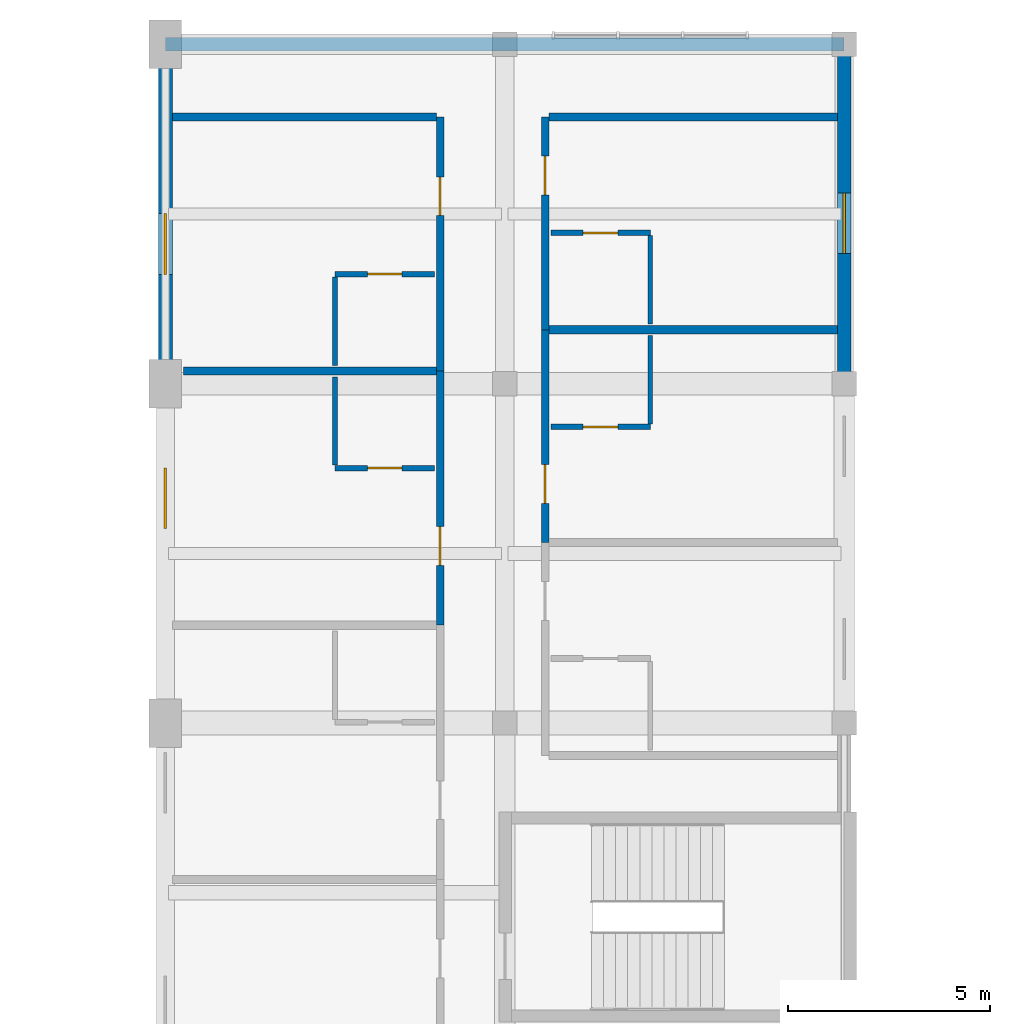
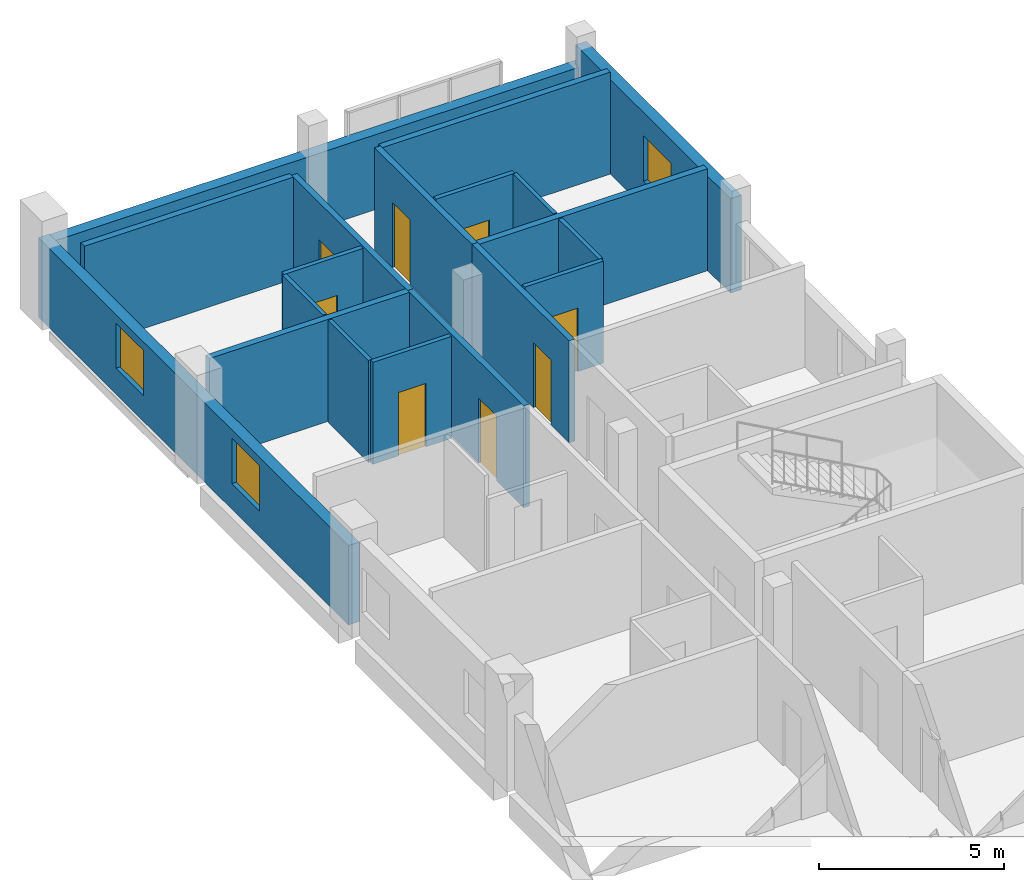
# One storey, part 20 of 24: 19 walls, 8 doors, 3 windows, 11 openings.
"""IFC4 building model written with IfcOpenShell, lengths in metres."""

from ifc_helpers import new_model, si_unit, derived_unit, direction, frame, frame_2d, origin, place, context, subcontext, project, spatial, rectangle, extrude, material, layer, layer_set, type_object, element, fill, save


model = new_model("IFC4")

# Units and contexts
model_context = context("Model", 3, precision=1e-05, world=origin(), true_north=direction((0.0, 1.0)))
body_context = subcontext(model_context, "Body", "Model", "MODEL_VIEW")
ifc_project = project(units=[si_unit("LENGTHUNIT", "METRE"), si_unit("AREAUNIT", "SQUARE_METRE"), si_unit("VOLUMEUNIT", "CUBIC_METRE"), si_unit("PLANEANGLEUNIT", "RADIAN"), si_unit("MASSUNIT", "GRAM", prefix="KILO"), derived_unit("THERMALTRANSMITTANCEUNIT", [(si_unit("POWERUNIT", "WATT"), 1), (si_unit("LENGTHUNIT", "METRE"), -2), (si_unit("THERMODYNAMICTEMPERATUREUNIT", "KELVIN"), -1)])], contexts=[model_context])

# Site, building, storey
site_placement = place(None, origin())
site = spatial("IfcSite", under=ifc_project, at=site_placement, CompositionType="ELEMENT")
building_placement = place(site_placement, origin())
building = spatial("IfcBuilding", under=site, at=building_placement, Name="Barrovel Congress Hotel", CompositionType="ELEMENT")
storey_placement = place(building_placement, frame((0.0, 0.0, 29.10009765625)))
storey = spatial("IfcBuildingStorey", under=building, at=storey_placement, Name="L07", CompositionType="ELEMENT", Elevation=29.10009765625)

# Wall
ifc_material_1 = material(Name="Fired Clay Brick Masonry", Category="masonry")
ifc_layer_1 = layer(ifc_material_1, 0.340087890625)
ifc_layer_set_1 = layer_set([ifc_layer_1], Name="Fired Clay Brick Masonry")
wall_type_1 = type_object("IfcWallType", Name="EW-BRK340", PredefinedType="STANDARD", material=ifc_layer_set_1)
wall_1_placement = place(storey_placement, frame((50.39990234375, 79.800048828125, 0.0), z_axis=(0.0, 0.0, 1.0), x_axis=(-1.0, 0.0, 0.0)))
element("IfcWall", 1, at=wall_1_placement, inside=storey, type_object=wall_type_1, Name="EW:L07:HW-N", PredefinedType="STANDARD", context=body_context, shape_type="SweptSolid", body=[
    extrude(rectangle(XDim=16.7998046875, YDim=0.340087890625, at=frame_2d((8.39990234375, 0.0))), origin(), (0.0, 0.0, 1.0), 2.47998046875),
])

# Wall, opening, window
wall_2_placement = place(storey_placement, frame((50.39990234375, 71.39990234375, 0.0), z_axis=(0.0, 0.0, 1.0), x_axis=(0.0, 1.0, 0.0)))
wall_2 = element("IfcWall", 2, at=wall_2_placement, inside=storey, type_object=wall_type_1, Name="EW:L07:HW-E-2:P02", PredefinedType="STANDARD", context=body_context, shape_type="SweptSolid", body=[
    extrude(rectangle(XDim=8.400146484375, YDim=0.340087890625, at=frame_2d((4.2001953125, 0.0))), origin(), (0.0, 0.0, 1.0), 3.1259765625),
])
opening_1_placement = place(wall_2_placement, frame((3.216552734375, 0.0, 0.85009765625)))
opening_1 = element("IfcOpeningElement", 3, at=opening_1_placement, cuts=wall_2, Name="Opening WN-07", PredefinedType="OPENING", context=body_context, shape_type="SweptSolid", body=[
    extrude(rectangle(XDim=1.5, YDim=1.5, at=frame_2d((0.75, 0.75))), frame((0.0, 0.18017578125, 0.0), z_axis=(0.0, -1.0, 0.0), x_axis=(1.0, 0.0, 0.0)), (0.0, 0.0, 1.0), 0.360107421875),
])
ifc_material_2 = material(Name="Double Low-E Insulated Glazing", Category="glass")
window_type = type_object("IfcWindowType", Name="WIN-WN-07", PartitioningType="SINGLE_PANEL", PredefinedType="WINDOW", material=ifc_material_2)
window_1_placement = place(opening_1_placement, origin())
window_1 = element("IfcWindow", 4, at=window_1_placement, inside=storey, type_object=window_type, Name="WIN:L07:U44", OverallHeight=1.5, OverallWidth=1.5, PartitioningType="SINGLE_PANEL", PredefinedType="WINDOW", context=body_context, shape_type="SweptSolid", body=[
    extrude(rectangle(XDim=1.5, YDim=1.5, at=frame_2d((0.75, 0.75))), frame((0.0, 0.030029296875, 0.0), z_axis=(0.0, -1.0, 0.0), x_axis=(1.0, 0.0, 0.0)), (0.0, 0.0, 1.0), 0.06005859375),
])
fill(opening_1, window_1)

# Wall, openings, windows
wall_3_placement = place(storey_placement, frame((33.60009765625, 79.800048828125, 0.0), z_axis=(0.0, 0.0, 1.0), x_axis=(0.0, -1.0, 0.0)))
wall_3 = element("IfcWall", 5, at=wall_3_placement, inside=storey, type_object=wall_type_1, Name="EW:L07:HW-W:P01", PredefinedType="STANDARD", context=body_context, shape_type="SweptSolid", body=[
    extrude(rectangle(XDim=16.800048828125, YDim=0.340087890625, at=frame_2d((8.39990234375, 0.0))), origin(), (0.0, 0.0, 1.0), 2.6298828125),
])
opening_2_placement = place(wall_3_placement, frame((10.4833984375, 0.0, 0.85009765625)))
opening_2 = element("IfcOpeningElement", 6, at=opening_2_placement, cuts=wall_3, Name="Opening WN-07", PredefinedType="OPENING", context=body_context, shape_type="SweptSolid", body=[
    extrude(rectangle(XDim=1.5, YDim=1.5, at=frame_2d((0.75, 0.75))), frame((0.0, 0.18017578125, 0.0), z_axis=(0.0, -1.0, 0.0), x_axis=(1.0, 0.0, 0.0)), (0.0, 0.0, 1.0), 0.360107421875),
])
opening_3_placement = place(wall_3_placement, frame((4.194580078125, 0.0, 0.85009765625)))
opening_3 = element("IfcOpeningElement", 7, at=opening_3_placement, cuts=wall_3, Name="Opening WN-07", PredefinedType="OPENING", context=body_context, shape_type="SweptSolid", body=[
    extrude(rectangle(XDim=1.5, YDim=1.5, at=frame_2d((0.75, 0.75))), frame((0.0, 0.18017578125, 0.0), z_axis=(0.0, -1.0, 0.0), x_axis=(1.0, 0.0, 0.0)), (0.0, 0.0, 1.0), 0.360107421875),
])
window_2_placement = place(opening_2_placement, origin())
window_2 = element("IfcWindow", 8, at=window_2_placement, inside=storey, type_object=window_type, Name="WIN:L07:U35", OverallHeight=1.5, OverallWidth=1.5, PartitioningType="SINGLE_PANEL", PredefinedType="WINDOW", context=body_context, shape_type="SweptSolid", body=[
    extrude(rectangle(XDim=1.5, YDim=1.5, at=frame_2d((0.75, 0.75))), frame((0.0, 0.030029296875, 0.0), z_axis=(0.0, -1.0, 0.0), x_axis=(1.0, 0.0, 0.0)), (0.0, 0.0, 1.0), 0.06005859375),
])
fill(opening_2, window_2)
window_3_placement = place(opening_3_placement, origin())
window_3 = element("IfcWindow", 9, at=window_3_placement, inside=storey, type_object=window_type, Name="WIN:L07:U36", OverallHeight=1.5, OverallWidth=1.5, PartitioningType="SINGLE_PANEL", PredefinedType="WINDOW", context=body_context, shape_type="SweptSolid", body=[
    extrude(rectangle(XDim=1.5, YDim=1.5, at=frame_2d((0.75, 0.75))), frame((0.0, 0.030029296875, 0.0), z_axis=(0.0, -1.0, 0.0), x_axis=(1.0, 0.0, 0.0)), (0.0, 0.0, 1.0), 0.06005859375),
])
fill(opening_3, window_3)

# Wall, opening, door
ifc_material_3 = material(Name="Gypsum Acoustic Stud", Category="gypsum")
ifc_layer_2 = layer(ifc_material_3, 0.179931640625)
ifc_layer_set_2 = layer_set([ifc_layer_2], Name="Gypsum Acoustic Stud")
wall_type_2 = type_object("IfcWallType", Name="PW-ACU-180", PredefinedType="PARTITIONING", material=ifc_layer_set_2)
wall_4_placement = place(storey_placement, frame((40.39990234375, 65.422119140625, 0.0), z_axis=(0.0, 0.0, 1.0), x_axis=(0.0, 1.0, 0.0)))
wall_4 = element("IfcWall", 10, at=wall_4_placement, inside=storey, type_object=wall_type_2, Name="PW:L07:U35:COR", PredefinedType="PARTITIONING", context=body_context, shape_type="SweptSolid", body=[
    extrude(rectangle(XDim=6.2890625, YDim=0.179931640625, at=frame_2d((3.14453125, 0.0))), origin(), (0.0, 0.0, 1.0), 3.375),
])
opening_4_placement = place(wall_4_placement, frame((1.4794921875, 0.0, 0.0)))
opening_4 = element("IfcOpeningElement", 11, at=opening_4_placement, cuts=wall_4, Name="Opening ID-HTL", PredefinedType="OPENING", context=body_context, shape_type="SweptSolid", body=[
    extrude(rectangle(XDim=0.9599609375, YDim=2.14990234375, at=frame_2d((0.47998046875, 1.074951171875))), frame((0.0, 0.10009765625, 0.0), z_axis=(0.0, -1.0, 0.0), x_axis=(1.0, 0.0, 0.0)), (0.0, 0.0, 1.0), 0.199951171875),
])
ifc_material_4 = material(Name="Solid Oak Acoustic Timber Door", Category="wood")
door_type_1 = type_object("IfcDoorType", Name="IDR-ID-HTL", OperationType="NOTDEFINED", PredefinedType="DOOR", material=ifc_material_4)
door_1_placement = place(opening_4_placement, origin())
door_1 = element("IfcDoor", 12, at=door_1_placement, inside=storey, type_object=door_type_1, Name="DR:L07:U35:ENT", OperationType="SINGLE_SWING_RIGHT", OverallHeight=2.14990234375, OverallWidth=0.9599609375, PredefinedType="DOOR", context=body_context, shape_type="SweptSolid", body=[
    extrude(rectangle(XDim=0.9599609375, YDim=2.14990234375, at=frame_2d((0.47998046875, 1.074951171875))), frame((0.0, 0.02490234375, 0.0), z_axis=(0.0, -1.0, 0.0), x_axis=(1.0, 0.0, 0.0)), (0.0, 0.0, 1.0), 0.050048828125),
])
fill(opening_4, door_1)

wall_5_placement = place(storey_placement, frame((40.39990234375, 71.711181640625, 0.0), z_axis=(0.0, 0.0, 1.0), x_axis=(0.0, 1.0, 0.0)))
wall_5 = element("IfcWall", 13, at=wall_5_placement, inside=storey, type_object=wall_type_2, Name="PW:L07:U36:COR", PredefinedType="PARTITIONING", context=body_context, shape_type="SweptSolid", body=[
    extrude(rectangle(XDim=6.288818359375, YDim=0.179931640625, at=frame_2d((3.14453125, 0.0))), origin(), (0.0, 0.0, 1.0), 3.375),
])
opening_5_placement = place(wall_5_placement, frame((3.849365234375, 0.0, 0.0)))
opening_5 = element("IfcOpeningElement", 14, at=opening_5_placement, cuts=wall_5, Name="Opening ID-HTL", PredefinedType="OPENING", context=body_context, shape_type="SweptSolid", body=[
    extrude(rectangle(XDim=0.9599609375, YDim=2.14990234375, at=frame_2d((0.47998046875, 1.074951171875))), frame((0.0, 0.10009765625, 0.0), z_axis=(0.0, -1.0, 0.0), x_axis=(1.0, 0.0, 0.0)), (0.0, 0.0, 1.0), 0.199951171875),
])
door_2_placement = place(opening_5_placement, origin())
door_2 = element("IfcDoor", 15, at=door_2_placement, inside=storey, type_object=door_type_1, Name="DR:L07:U36:ENT", OperationType="SINGLE_SWING_RIGHT", OverallHeight=2.14990234375, OverallWidth=0.9599609375, PredefinedType="DOOR", context=body_context, shape_type="SweptSolid", body=[
    extrude(rectangle(XDim=0.9599609375, YDim=2.14990234375, at=frame_2d((0.47998046875, 1.074951171875))), frame((0.0, 0.02490234375, 0.0), z_axis=(0.0, -1.0, 0.0), x_axis=(1.0, 0.0, 0.0)), (0.0, 0.0, 1.0), 0.050048828125),
])
fill(opening_5, door_2)

wall_6_placement = place(storey_placement, frame((43.0, 67.466796875, 0.0), z_axis=(0.0, 0.0, 1.0), x_axis=(0.0, 1.0, 0.0)))
wall_6 = element("IfcWall", 16, at=wall_6_placement, inside=storey, type_object=wall_type_2, Name="PW:L07:U43:COR", PredefinedType="PARTITIONING", context=body_context, shape_type="SweptSolid", body=[
    extrude(rectangle(XDim=5.2666015625, YDim=0.179931640625, at=frame_2d((2.63330078125, 0.0))), origin(), (0.0, 0.0, 1.0), 3.375),
])
opening_6_placement = place(wall_6_placement, frame((0.96826171875, 0.0, 0.0)))
opening_6 = element("IfcOpeningElement", 17, at=opening_6_placement, cuts=wall_6, Name="Opening ID-HTL", PredefinedType="OPENING", context=body_context, shape_type="SweptSolid", body=[
    extrude(rectangle(XDim=0.9599609375, YDim=2.14990234375, at=frame_2d((0.47998046875, 1.074951171875))), frame((0.0, 0.10009765625, 0.0), z_axis=(0.0, -1.0, 0.0), x_axis=(1.0, 0.0, 0.0)), (0.0, 0.0, 1.0), 0.199951171875),
])
door_3_placement = place(opening_6_placement, origin())
door_3 = element("IfcDoor", 18, at=door_3_placement, inside=storey, type_object=door_type_1, Name="DR:L07:U43:ENT", OperationType="SINGLE_SWING_RIGHT", OverallHeight=2.14990234375, OverallWidth=0.9599609375, PredefinedType="DOOR", context=body_context, shape_type="SweptSolid", body=[
    extrude(rectangle(XDim=0.9599609375, YDim=2.14990234375, at=frame_2d((0.47998046875, 1.074951171875))), frame((0.0, 0.02490234375, 0.0), z_axis=(0.0, -1.0, 0.0), x_axis=(1.0, 0.0, 0.0)), (0.0, 0.0, 1.0), 0.050048828125),
])
fill(opening_6, door_3)

wall_7_placement = place(storey_placement, frame((43.0, 72.7333984375, 0.0), z_axis=(0.0, 0.0, 1.0), x_axis=(0.0, 1.0, 0.0)))
wall_7 = element("IfcWall", 19, at=wall_7_placement, inside=storey, type_object=wall_type_2, Name="PW:L07:U44:COR", PredefinedType="PARTITIONING", context=body_context, shape_type="SweptSolid", body=[
    extrude(rectangle(XDim=5.2666015625, YDim=0.179931640625, at=frame_2d((2.63330078125, 0.0))), origin(), (0.0, 0.0, 1.0), 3.375),
])
opening_7_placement = place(wall_7_placement, frame((3.33837890625, 0.0, 0.0)))
opening_7 = element("IfcOpeningElement", 20, at=opening_7_placement, cuts=wall_7, Name="Opening ID-HTL", PredefinedType="OPENING", context=body_context, shape_type="SweptSolid", body=[
    extrude(rectangle(XDim=0.9599609375, YDim=2.14990234375, at=frame_2d((0.47998046875, 1.074951171875))), frame((0.0, 0.10009765625, 0.0), z_axis=(0.0, -1.0, 0.0), x_axis=(1.0, 0.0, 0.0)), (0.0, 0.0, 1.0), 0.199951171875),
])
door_4_placement = place(opening_7_placement, origin())
door_4 = element("IfcDoor", 21, at=door_4_placement, inside=storey, type_object=door_type_1, Name="DR:L07:U44:ENT", OperationType="SINGLE_SWING_RIGHT", OverallHeight=2.14990234375, OverallWidth=0.9599609375, PredefinedType="DOOR", context=body_context, shape_type="SweptSolid", body=[
    extrude(rectangle(XDim=0.9599609375, YDim=2.14990234375, at=frame_2d((0.47998046875, 1.074951171875))), frame((0.0, 0.02490234375, 0.0), z_axis=(0.0, -1.0, 0.0), x_axis=(1.0, 0.0, 0.0)), (0.0, 0.0, 1.0), 0.050048828125),
])
fill(opening_7, door_4)

# Walls
ifc_layer_3 = layer(ifc_material_3, 0.1201171875)
ifc_layer_set_3 = layer_set([ifc_layer_3], Name="Gypsum Acoustic Stud")
wall_type_3 = type_object("IfcWallType", Name="PW-INT-120", PredefinedType="PARTITIONING", material=ifc_layer_set_3)
for number, where, z_axis, x_axis, name in (
    (22, (37.800048828125, 69.381103515625, 0.0), (0.0, 0.0, 1.0), (0.0, 1.0, 0.0), "PW:L07:U35:B2"),
    (23, (37.800048828125, 71.85107421875, 0.0), (0.0, 0.0, 1.0), (0.0, 1.0, 0.0), "PW:L07:U36:B2"),
    (24, (45.60009765625, 70.4033203125, 0.0), (0.0, 0.0, 1.0), (0.0, 1.0, 0.0), "PW:L07:U43:B2"),
    (25, (45.60009765625, 72.873291015625, 0.0), (0.0, 0.0, 1.0), (0.0, 1.0, 0.0), "PW:L07:U44:B2"),
):
    element("IfcWall", number, at=place(storey_placement, frame(where, z_axis=z_axis, x_axis=x_axis)), inside=storey, type_object=wall_type_3, Name=name, PredefinedType="PARTITIONING", context=body_context, shape_type="SweptSolid", body=[
        extrude(rectangle(XDim=2.18994140625, YDim=0.1201171875, at=frame_2d((1.094970703125, 0.0))), origin(), (0.0, 0.0, 1.0), 3.375),
    ])
ifc_layer_4 = layer(ifc_material_1, 0.199951171875)
ifc_layer_set_4 = layer_set([ifc_layer_4], Name="Fired Clay Brick Masonry")
wall_type_4 = type_object("IfcWallType", Name="PW-MAS-200", PredefinedType="PARTITIONING", material=ifc_layer_set_4)
wall_8_placement = place(storey_placement, frame((34.050048828125, 71.711181640625, 0.0), z_axis=(0.0, 0.0, 1.0), x_axis=(1.0, 0.0, 0.0)))
element("IfcWall", 26, at=wall_8_placement, inside=storey, type_object=wall_type_4, Name="PW:L07:U35:DEM", PredefinedType="PARTITIONING", context=body_context, shape_type="SweptSolid", body=[
    extrude(rectangle(XDim=6.260009765625, YDim=0.199951171875, at=frame_2d((3.1298828125, 0.0))), origin(), (0.0, 0.0, 1.0), 3.375),
])
wall_9_placement = place(storey_placement, frame((33.77001953125, 78.0, 0.0), z_axis=(0.0, 0.0, 1.0), x_axis=(1.0, 0.0, 0.0)))
element("IfcWall", 27, at=wall_9_placement, inside=storey, type_object=wall_type_4, Name="PW:L07:U36:DEM", PredefinedType="PARTITIONING", context=body_context, shape_type="SweptSolid", body=[
    extrude(rectangle(XDim=6.5400390625, YDim=0.199951171875, at=frame_2d((3.27001953125, 0.0))), origin(), (0.0, 0.0, 1.0), 3.375),
])
for number, where, z_axis, x_axis, name in (
    (28, (43.090087890625, 72.7333984375, 0.0), (0.0, 0.0, 1.0), (1.0, 0.0, 0.0), "PW:L07:U43:DEM"),
    (29, (43.090087890625, 78.0, 0.0), (0.0, 0.0, 1.0), (1.0, 0.0, 0.0), "PW:L07:U44:DEM"),
):
    element("IfcWall", number, at=place(storey_placement, frame(where, z_axis=z_axis, x_axis=x_axis)), inside=storey, type_object=wall_type_4, Name=name, PredefinedType="PARTITIONING", context=body_context, shape_type="SweptSolid", body=[
        extrude(rectangle(XDim=7.139892578125, YDim=0.199951171875, at=frame_2d((3.56982421875, 0.0))), origin(), (0.0, 0.0, 1.0), 3.375),
    ])

# Wall, opening, door
ifc_material_5 = material(Name="Gypsum Moisture Board", Category="gypsum")
ifc_layer_5 = layer(ifc_material_5, 0.139892578125)
ifc_layer_set_5 = layer_set([ifc_layer_5], Name="Gypsum Moisture Board")
wall_type_5 = type_object("IfcWallType", Name="PW-WET-140", PredefinedType="PARTITIONING", material=ifc_layer_set_5)
wall_10_placement = place(storey_placement, frame((37.800048828125, 69.31103515625, 0.0), z_axis=(0.0, 0.0, 1.0), x_axis=(1.0, 0.0, 0.0)))
wall_10 = element("IfcWall", 30, at=wall_10_placement, inside=storey, type_object=wall_type_5, Name="PW:L07:U35:B1", PredefinedType="PARTITIONING", context=body_context, shape_type="SweptSolid", body=[
    extrude(rectangle(XDim=2.4599609375, YDim=0.139892578125, at=frame_2d((1.22998046875, 0.0))), origin(), (0.0, 0.0, 1.0), 3.375),
])
opening_8_placement = place(wall_10_placement, frame((0.800048828125, 0.0, 0.0)))
opening_8 = element("IfcOpeningElement", 31, at=opening_8_placement, cuts=wall_10, Name="Opening ID-ENS", PredefinedType="OPENING", context=body_context, shape_type="SweptSolid", body=[
    extrude(rectangle(XDim=0.860107421875, YDim=2.10009765625, at=frame_2d((0.43017578125, 1.050048828125))), frame((0.0, 0.080078125, 0.0), z_axis=(0.0, -1.0, 0.0), x_axis=(1.0, 0.0, 0.0)), (0.0, 0.0, 1.0), 0.159912109375),
])
ifc_material_6 = material(Name="Lacquered Timber Moisture Door", Category="wood")
door_type_2 = type_object("IfcDoorType", Name="IDR-ID-ENS", OperationType="NOTDEFINED", PredefinedType="DOOR", material=ifc_material_6)
door_5_placement = place(opening_8_placement, origin())
door_5 = element("IfcDoor", 32, at=door_5_placement, inside=storey, type_object=door_type_2, Name="DR:L07:U35:ENS", OperationType="SINGLE_SWING_LEFT", OverallHeight=2.10009765625, OverallWidth=0.860107421875, PredefinedType="DOOR", context=body_context, shape_type="SweptSolid", body=[
    extrude(rectangle(XDim=0.860107421875, YDim=2.10009765625, at=frame_2d((0.43017578125, 1.050048828125))), frame((0.0, 0.02490234375, 0.0), z_axis=(0.0, -1.0, 0.0), x_axis=(1.0, 0.0, 0.0)), (0.0, 0.0, 1.0), 0.050048828125),
])
fill(opening_8, door_5)

wall_11_placement = place(storey_placement, frame((37.800048828125, 74.111083984375, 0.0), z_axis=(0.0, 0.0, 1.0), x_axis=(1.0, 0.0, 0.0)))
wall_11 = element("IfcWall", 33, at=wall_11_placement, inside=storey, type_object=wall_type_5, Name="PW:L07:U36:B1", PredefinedType="PARTITIONING", context=body_context, shape_type="SweptSolid", body=[
    extrude(rectangle(XDim=2.4599609375, YDim=0.139892578125, at=frame_2d((1.22998046875, 0.0))), origin(), (0.0, 0.0, 1.0), 3.375),
])
opening_9_placement = place(wall_11_placement, frame((0.800048828125, 0.0, 0.0)))
opening_9 = element("IfcOpeningElement", 34, at=opening_9_placement, cuts=wall_11, Name="Opening ID-ENS", PredefinedType="OPENING", context=body_context, shape_type="SweptSolid", body=[
    extrude(rectangle(XDim=0.860107421875, YDim=2.10009765625, at=frame_2d((0.43017578125, 1.050048828125))), frame((0.0, 0.080078125, 0.0), z_axis=(0.0, -1.0, 0.0), x_axis=(1.0, 0.0, 0.0)), (0.0, 0.0, 1.0), 0.159912109375),
])
door_6_placement = place(opening_9_placement, origin())
door_6 = element("IfcDoor", 35, at=door_6_placement, inside=storey, type_object=door_type_2, Name="DR:L07:U36:ENS", OperationType="SINGLE_SWING_LEFT", OverallHeight=2.10009765625, OverallWidth=0.860107421875, PredefinedType="DOOR", context=body_context, shape_type="SweptSolid", body=[
    extrude(rectangle(XDim=0.860107421875, YDim=2.10009765625, at=frame_2d((0.43017578125, 1.050048828125))), frame((0.0, 0.02490234375, 0.0), z_axis=(0.0, -1.0, 0.0), x_axis=(1.0, 0.0, 0.0)), (0.0, 0.0, 1.0), 0.050048828125),
])
fill(opening_9, door_6)

wall_12_placement = place(storey_placement, frame((43.139892578125, 70.333251953125, 0.0), z_axis=(0.0, 0.0, 1.0), x_axis=(1.0, 0.0, 0.0)))
wall_12 = element("IfcWall", 36, at=wall_12_placement, inside=storey, type_object=wall_type_5, Name="PW:L07:U43:B1", PredefinedType="PARTITIONING", context=body_context, shape_type="SweptSolid", body=[
    extrude(rectangle(XDim=2.460205078125, YDim=0.139892578125, at=frame_2d((1.22998046875, 0.0))), origin(), (0.0, 0.0, 1.0), 3.375),
])
opening_10_placement = place(wall_12_placement, frame((0.800048828125, 0.0, 0.0)))
opening_10 = element("IfcOpeningElement", 37, at=opening_10_placement, cuts=wall_12, Name="Opening ID-ENS", PredefinedType="OPENING", context=body_context, shape_type="SweptSolid", body=[
    extrude(rectangle(XDim=0.860107421875, YDim=2.10009765625, at=frame_2d((0.43017578125, 1.050048828125))), frame((0.0, 0.080078125, 0.0), z_axis=(0.0, -1.0, 0.0), x_axis=(1.0, 0.0, 0.0)), (0.0, 0.0, 1.0), 0.159912109375),
])
door_7_placement = place(opening_10_placement, origin())
door_7 = element("IfcDoor", 38, at=door_7_placement, inside=storey, type_object=door_type_2, Name="DR:L07:U43:ENS", OperationType="SINGLE_SWING_LEFT", OverallHeight=2.10009765625, OverallWidth=0.860107421875, PredefinedType="DOOR", context=body_context, shape_type="SweptSolid", body=[
    extrude(rectangle(XDim=0.860107421875, YDim=2.10009765625, at=frame_2d((0.43017578125, 1.050048828125))), frame((0.0, 0.02490234375, 0.0), z_axis=(0.0, -1.0, 0.0), x_axis=(1.0, 0.0, 0.0)), (0.0, 0.0, 1.0), 0.050048828125),
])
fill(opening_10, door_7)

wall_13_placement = place(storey_placement, frame((43.139892578125, 75.13330078125, 0.0), z_axis=(0.0, 0.0, 1.0), x_axis=(1.0, 0.0, 0.0)))
wall_13 = element("IfcWall", 39, at=wall_13_placement, inside=storey, type_object=wall_type_5, Name="PW:L07:U44:B1", PredefinedType="PARTITIONING", context=body_context, shape_type="SweptSolid", body=[
    extrude(rectangle(XDim=2.460205078125, YDim=0.139892578125, at=frame_2d((1.22998046875, 0.0))), origin(), (0.0, 0.0, 1.0), 3.375),
])
opening_11_placement = place(wall_13_placement, frame((0.800048828125, 0.0, 0.0)))
opening_11 = element("IfcOpeningElement", 40, at=opening_11_placement, cuts=wall_13, Name="Opening ID-ENS", PredefinedType="OPENING", context=body_context, shape_type="SweptSolid", body=[
    extrude(rectangle(XDim=0.860107421875, YDim=2.10009765625, at=frame_2d((0.43017578125, 1.050048828125))), frame((0.0, 0.080078125, 0.0), z_axis=(0.0, -1.0, 0.0), x_axis=(1.0, 0.0, 0.0)), (0.0, 0.0, 1.0), 0.159912109375),
])
door_8_placement = place(opening_11_placement, origin())
door_8 = element("IfcDoor", 41, at=door_8_placement, inside=storey, type_object=door_type_2, Name="DR:L07:U44:ENS", OperationType="SINGLE_SWING_LEFT", OverallHeight=2.10009765625, OverallWidth=0.860107421875, PredefinedType="DOOR", context=body_context, shape_type="SweptSolid", body=[
    extrude(rectangle(XDim=0.860107421875, YDim=2.10009765625, at=frame_2d((0.43017578125, 1.050048828125))), frame((0.0, 0.02490234375, 0.0), z_axis=(0.0, -1.0, 0.0), x_axis=(1.0, 0.0, 0.0)), (0.0, 0.0, 1.0), 0.050048828125),
])
fill(opening_11, door_8)

save(model, "model.ifc")
